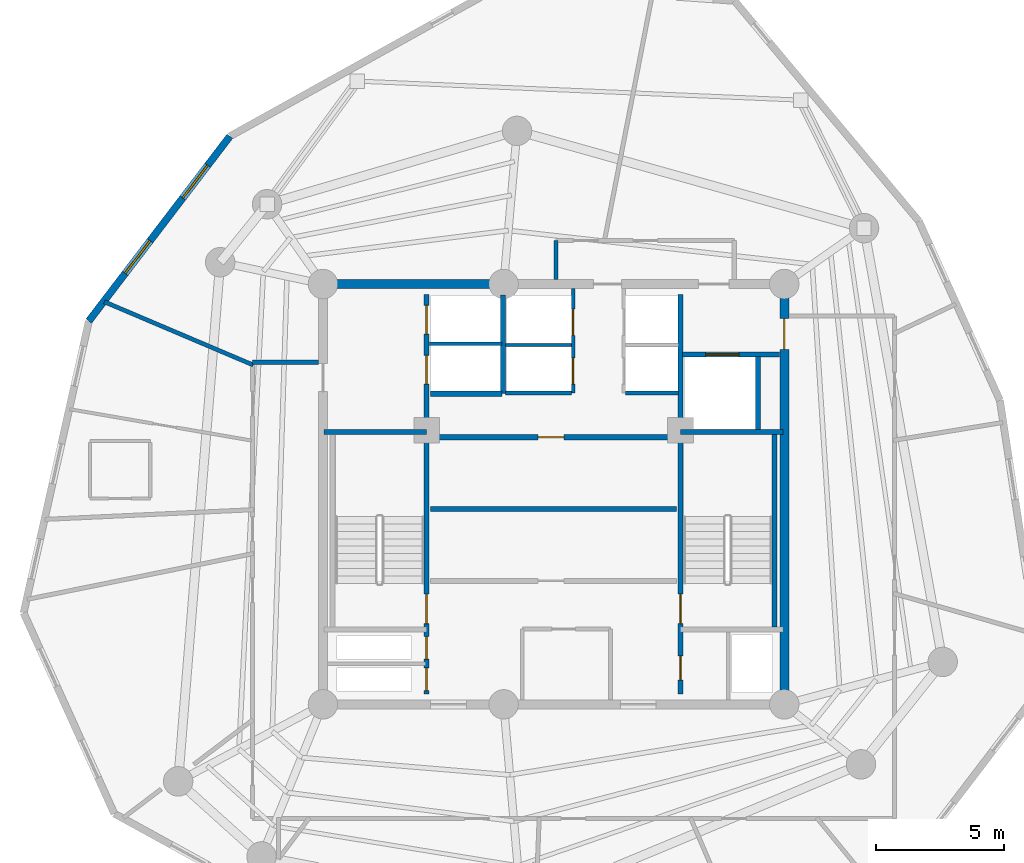
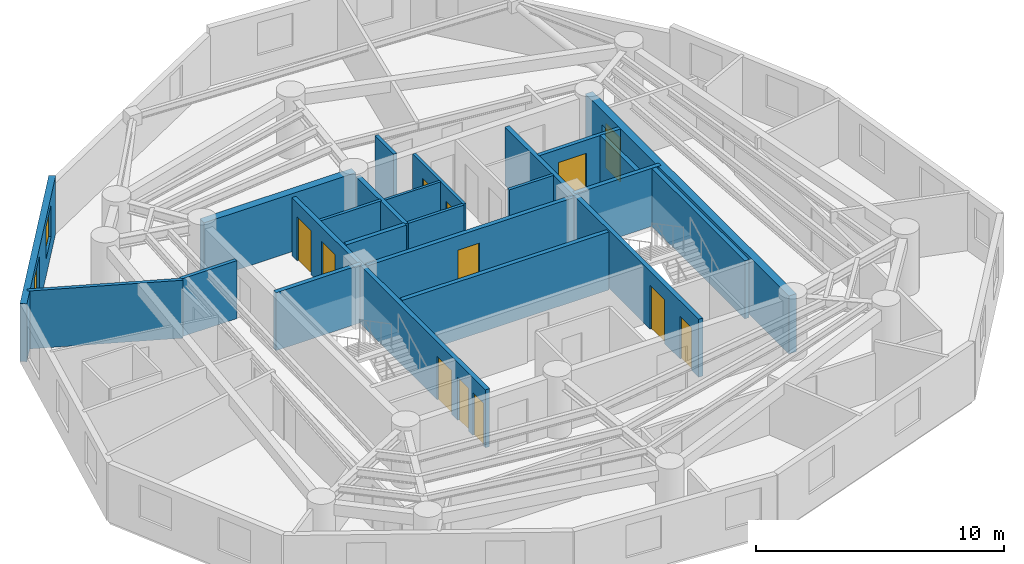
# One storey, part 4 of 7: 22 walls, 12 doors, 2 windows, 14 openings.
"""IFC4 building model written with IfcOpenShell, lengths in metres."""

from ifc_helpers import new_model, si_unit, direction, frame, frame_2d, origin, origin_with_axes, place, context, subcontext, project, spatial, rectangle, extrude, source, transform, mapped, material, layer, layer_set, type_object, element, fill, save


model = new_model("IFC4")

# Units and contexts
model_context = context("Model", 3, precision=1e-05, world=origin(), true_north=direction((0.0, 1.0)))
body_context = subcontext(model_context, "Body", "Model", "MODEL_VIEW")
ifc_project = project(units=[si_unit("LENGTHUNIT", "METRE"), si_unit("AREAUNIT", "SQUARE_METRE"), si_unit("VOLUMEUNIT", "CUBIC_METRE"), si_unit("PLANEANGLEUNIT", "RADIAN"), si_unit("MASSUNIT", "GRAM", prefix="KILO")], contexts=[model_context])

# Site, building, storey
site_placement = place(None, origin())
site = spatial("IfcSite", under=ifc_project, at=site_placement, CompositionType="ELEMENT")
building_placement = place(site_placement, origin())
building = spatial("IfcBuilding", under=site, at=building_placement, Name="Karkom Vertical University and Central Library", CompositionType="ELEMENT")
storey_placement = place(building_placement, frame((0.0, 0.0, 247.39990234375)))
storey = spatial("IfcBuildingStorey", under=building, at=storey_placement, Name="L73", CompositionType="ELEMENT", Elevation=247.39990234375)

# Wall, openings, windows
ifc_material_1 = material(Name="Brick-faced precast concrete C45/55", Category="masonry")
ifc_layer_1 = layer(ifc_material_1, 0.280029296875)
ifc_layer_set_1 = layer_set([ifc_layer_1], Name="Brick-faced precast concrete C45/55")
wall_type_1 = type_object("IfcWallType", Name="ENV-WL-BRK-280", PredefinedType="SOLIDWALL", material=ifc_layer_set_1)
wall_1_placement = place(storey_placement, frame((15.865966796875, 40.4677734375, 0.0), z_axis=(0.0, 0.0, 1.0), x_axis=(-0.606642893849, -0.794974464585, 0.0)))
wall_1 = element("IfcWall", 1, at=wall_1_placement, inside=storey, type_object=wall_type_1, Name="Level 73 Brick-Faced Precast Facade Wall 11", PredefinedType="SOLIDWALL", context=body_context, shape_type="SweptSolid", body=[
    extrude(rectangle(XDim=9.07421875, YDim=0.280029296875, at=frame_2d((4.537109375, 0.0))), origin(), (0.0, 0.0, 1.0), 2.85009765625),
])
opening_1_placement = place(wall_1_placement, frame((1.4296875, 0.0, 0.85009765625)))
opening_1 = element("IfcOpeningElement", 2, at=opening_1_placement, cuts=wall_1, Name="Opening WN-10", PredefinedType="OPENING", context=body_context, shape_type="SweptSolid", body=[
    extrude(rectangle(XDim=1.60009765625, YDim=1.60009765625, at=frame_2d((0.800048828125, 0.800048828125))), frame((0.0, 0.14990234375, 0.0), z_axis=(0.0, -1.0, 0.0), x_axis=(1.0, 0.0, 0.0)), (0.0, 0.0, 1.0), 0.300048828125),
])
opening_2_placement = place(wall_1_placement, frame((5.12890625, 0.0, 0.85009765625)))
opening_2 = element("IfcOpeningElement", 3, at=opening_2_placement, cuts=wall_1, Name="Opening WN-10", PredefinedType="OPENING", context=body_context, shape_type="SweptSolid", body=[
    extrude(rectangle(XDim=1.60009765625, YDim=1.60009765625, at=frame_2d((0.800048828125, 0.800048828125))), frame((0.0, 0.14990234375, 0.0), z_axis=(0.0, -1.0, 0.0), x_axis=(1.0, 0.0, 0.0)), (0.0, 0.0, 1.0), 0.300048828125),
])
ifc_material_2 = material(Name="Aluminium thermal-break frame with solar-control IGU", Category="aluminium")
window_type = type_object("IfcWindowType", Name="ENV-WIN-WN-10", PartitioningType="SINGLE_PANEL", PredefinedType="WINDOW", material=ifc_material_2)
shared_shape_1 = source(origin_with_axes(), body_context, "Body", "SweptSolid", [
    extrude(rectangle(XDim=1.60009765625, YDim=1.60009765625, at=frame_2d((0.800048828125, 0.800048828125))), frame((0.0, 0.030029296875, 0.0), z_axis=(0.0, -1.0, 0.0), x_axis=(1.0, 0.0, 0.0)), (0.0, 0.0, 1.0), 0.06005859375),
])
window_1_placement = place(opening_1_placement, origin())
window_1 = element("IfcWindow", 4, at=window_1_placement, inside=storey, type_object=window_type, Name="Level 73 Punched Window 11.1", OverallHeight=1.60009765625, OverallWidth=1.60009765625, PartitioningType="SINGLE_PANEL", PredefinedType="WINDOW", context=body_context, shape_type="MappedRepresentation", body=[
    mapped(shared_shape_1, transform((0.0, 0.0, 0.0), scale=1.0)),
])
fill(opening_1, window_1)
window_2_placement = place(opening_2_placement, origin())
window_2 = element("IfcWindow", 5, at=window_2_placement, inside=storey, type_object=window_type, Name="Level 73 Punched Window 11.2", OverallHeight=1.60009765625, OverallWidth=1.60009765625, PartitioningType="SINGLE_PANEL", PredefinedType="WINDOW", context=body_context, shape_type="MappedRepresentation", body=[
    mapped(shared_shape_1, transform((0.0, 0.0, 0.0), scale=1.0)),
])
fill(opening_2, window_2)

# Walls
ifc_material_3 = material(Name="Insulated metal-stud drywall 160mm", Category="gypsum")
ifc_layer_2 = layer(ifc_material_3, 0.159912109375)
ifc_layer_set_2 = layer_set([ifc_layer_2], Name="Insulated metal-stud drywall 160mm")
wall_type_2 = type_object("IfcWallType", Name="INT-WL-COR-160", PredefinedType="PARTITIONING", material=ifc_layer_set_2)
wall_2_placement = place(storey_placement, frame((16.777587890625, 31.541015625, 0.0), z_axis=(0.0, 0.0, 1.0), x_axis=(-0.92049449753, 0.390755524614, 0.0)))
element("IfcWall", 6, at=wall_2_placement, inside=storey, type_object=wall_type_2, Name="Level 73 Interior Partition Wall L73-PW-016", PredefinedType="PARTITIONING", context=body_context, shape_type="SweptSolid", body=[
    extrude(rectangle(XDim=6.309814453125, YDim=0.159912109375, at=frame_2d((3.15478515625, 0.0))), origin(), (0.0, 0.0, 1.0), 2.85009765625),
])
wall_3_placement = place(storey_placement, frame((16.75, 31.64990234375, 0.0), z_axis=(0.0, 0.0, 1.0), x_axis=(1.0, 0.0, 0.0)))
element("IfcWall", 7, at=wall_3_placement, inside=storey, type_object=wall_type_2, Name="Level 73 Interior Partition Wall L73-CORW-CW-003", PredefinedType="PARTITIONING", context=body_context, shape_type="SweptSolid", body=[
    extrude(rectangle(XDim=2.568115234375, YDim=0.159912109375, at=frame_2d((1.2841796875, 0.0))), origin(), (0.0, 0.0, 1.0), 2.85009765625),
])
wall_4_placement = place(storey_placement, frame((28.60009765625, 34.882080078125, 0.0), z_axis=(0.0, 0.0, 1.0), x_axis=(0.0, 1.0, 0.0)))
element("IfcWall", 8, at=wall_4_placement, inside=storey, type_object=wall_type_2, Name="Level 73 Interior Partition Wall L73-CORW-CW-006", PredefinedType="PARTITIONING", context=body_context, shape_type="SweptSolid", body=[
    extrude(rectangle(XDim=1.517822265625, YDim=0.159912109375, at=frame_2d((0.7587890625, 0.0))), origin(), (0.0, 0.0, 1.0), 2.85009765625),
])
ifc_material_4 = material(Name="Moisture-resistant drywall 120mm", Category="gypsum")
ifc_layer_3 = layer(ifc_material_4, 0.1201171875)
ifc_layer_set_3 = layer_set([ifc_layer_3], Name="Moisture-resistant drywall 120mm")
wall_type_3 = type_object("IfcWallType", Name="INT-WL-INT-120H", PredefinedType="PARTITIONING", material=ifc_layer_set_3)
wall_5_placement = place(storey_placement, frame((26.6201171875, 32.320068359375, 0.0), z_axis=(0.0, 0.0, 1.0), x_axis=(1.0, 0.0, 0.0)))
element("IfcWall", 9, at=wall_5_placement, inside=storey, type_object=wall_type_3, Name="Level 73 Interior Partition Wall L73-CW-PH-MW", PredefinedType="PARTITIONING", context=body_context, shape_type="SweptSolid", body=[
    extrude(rectangle(XDim=2.579833984375, YDim=0.1201171875, at=frame_2d((1.2900390625, 0.0))), origin(), (0.0, 0.0, 1.0), 2.85009765625),
])

# Wall, openings, doors
ifc_material_5 = material(Name="Metal-stud gypsum partition 140mm", Category="gypsum")
ifc_layer_4 = layer(ifc_material_5, 0.139892578125)
ifc_layer_set_4 = layer_set([ifc_layer_4], Name="Metal-stud gypsum partition 140mm")
wall_type_4 = type_object("IfcWallType", Name="INT-WL-SUB-140H", PredefinedType="PARTITIONING", material=ifc_layer_set_4)
wall_6_placement = place(storey_placement, frame((29.260009765625, 30.449951171875, 0.0), z_axis=(0.0, 0.0, 1.0), x_axis=(0.0, 1.0, 0.0)))
wall_6 = element("IfcWall", 10, at=wall_6_placement, inside=storey, type_object=wall_type_4, Name="Level 73 Interior Partition Wall L73-CW-PH-W", PredefinedType="PARTITIONING", context=body_context, shape_type="SweptSolid", body=[
    extrude(rectangle(XDim=4.068115234375, YDim=0.139892578125, at=frame_2d((2.0341796875, 0.0))), origin(), (0.0, 0.0, 1.0), 2.85009765625),
])
opening_3_placement = place(wall_6_placement, frame((0.35009765625, 0.0, 0.0)))
opening_3 = element("IfcOpeningElement", 11, at=opening_3_placement, cuts=wall_6, Name="Opening LD-PH", PredefinedType="OPENING", context=body_context, shape_type="SweptSolid", body=[
    extrude(rectangle(XDim=1.02001953125, YDim=2.14990234375, at=frame_2d((0.510009765625, 1.074951171875))), frame((0.0, 0.080078125, 0.0), z_axis=(0.0, -1.0, 0.0), x_axis=(1.0, 0.0, 0.0)), (0.0, 0.0, 1.0), 0.159912109375),
])
opening_4_placement = place(wall_6_placement, frame((2.25, 0.0, 0.0)))
opening_4 = element("IfcOpeningElement", 12, at=opening_4_placement, cuts=wall_6, Name="Opening LD-PH", PredefinedType="OPENING", context=body_context, shape_type="SweptSolid", body=[
    extrude(rectangle(XDim=1.02001953125, YDim=2.14990234375, at=frame_2d((0.510009765625, 1.074951171875))), frame((0.0, 0.080078125, 0.0), z_axis=(0.0, -1.0, 0.0), x_axis=(1.0, 0.0, 0.0)), (0.0, 0.0, 1.0), 0.159912109375),
])
ifc_material_6 = material(Name="Brushed stainless-steel landing door", Category="steel")
door_type_1 = type_object("IfcDoorType", Name="INT-DR-LD-PH", OperationType="SLIDING_TO_LEFT", PredefinedType="DOOR", material=ifc_material_6)
shared_shape_2 = source(origin_with_axes(), body_context, "Body", "SweptSolid", [
    extrude(rectangle(XDim=1.02001953125, YDim=2.14990234375, at=frame_2d((0.510009765625, 1.074951171875))), frame((0.0, 0.02490234375, 0.0), z_axis=(0.0, -1.0, 0.0), x_axis=(1.0, 0.0, 0.0)), (0.0, 0.0, 1.0), 0.050048828125),
])
door_1_placement = place(opening_3_placement, origin())
door_1 = element("IfcDoor", 13, at=door_1_placement, inside=storey, type_object=door_type_1, Name="Level 73 Lift PH-1 Landing Door", OperationType="SLIDING_TO_LEFT", OverallHeight=2.14990234375, OverallWidth=1.02001953125, PredefinedType="DOOR", context=body_context, shape_type="MappedRepresentation", body=[
    mapped(shared_shape_2, transform((0.0, 0.0, 0.0), scale=1.0)),
])
fill(opening_3, door_1)
door_2_placement = place(opening_4_placement, origin())
door_2 = element("IfcDoor", 14, at=door_2_placement, inside=storey, type_object=door_type_1, Name="Level 73 Lift PH-2 Landing Door", OperationType="SLIDING_TO_LEFT", OverallHeight=2.14990234375, OverallWidth=1.02001953125, PredefinedType="DOOR", context=body_context, shape_type="MappedRepresentation", body=[
    mapped(shared_shape_2, transform((0.0, 0.0, 0.0), scale=1.0)),
])
fill(opening_4, door_2)

# Walls
wall_7_placement = place(storey_placement, frame((26.6201171875, 30.449951171875, 0.0), z_axis=(0.0, 0.0, 1.0), x_axis=(1.0, 0.0, 0.0)))
element("IfcWall", 15, at=wall_7_placement, inside=storey, type_object=wall_type_4, Name="Level 73 Interior Partition Wall L73-CW-PH-S1", PredefinedType="PARTITIONING", context=body_context, shape_type="SweptSolid", body=[
    extrude(rectangle(XDim=2.579833984375, YDim=0.139892578125, at=frame_2d((1.2900390625, 0.0))), origin(), (0.0, 0.0, 1.0), 2.85009765625),
])
wall_8_placement = place(storey_placement, frame((31.300048828125, 30.449951171875, 0.0), z_axis=(0.0, 0.0, 1.0), x_axis=(1.0, 0.0, 0.0)))
element("IfcWall", 16, at=wall_8_placement, inside=storey, type_object=wall_type_4, Name="Level 73 Interior Partition Wall L73-CW-PH-S2", PredefinedType="PARTITIONING", context=body_context, shape_type="SweptSolid", body=[
    extrude(rectangle(XDim=2.074951171875, YDim=0.139892578125, at=frame_2d((1.03759765625, 0.0))), origin(), (0.0, 0.0, 1.0), 2.85009765625),
])
ifc_layer_5 = layer(ifc_material_5, 0.139892578125)
ifc_layer_set_5 = layer_set([ifc_layer_5], Name="Metal-stud gypsum partition 140mm")
wall_type_5 = type_object("IfcWallType", Name="INT-WL-SUB-140X", PredefinedType="PARTITIONING", material=ifc_layer_set_5)
wall_9_placement = place(storey_placement, frame((23.652099609375, 32.3701171875, 0.0), z_axis=(0.0, 0.0, 1.0), x_axis=(1.0, 0.0, 0.0)))
element("IfcWall", 17, at=wall_9_placement, inside=storey, type_object=wall_type_5, Name="Level 73 Interior Partition Wall L73-CW-FFL-M", PredefinedType="PARTITIONING", context=body_context, shape_type="SweptSolid", body=[
    extrude(rectangle(XDim=2.827880859375, YDim=0.139892578125, at=frame_2d((1.4140625, 0.0))), origin(), (0.0, 0.0, 1.0), 2.85009765625),
])

# Wall, opening, door
ifc_material_7 = material(Name="Twin-stud acoustic drywall 180mm", Category="gypsum")
ifc_layer_6 = layer(ifc_material_7, 0.179931640625)
ifc_layer_set_6 = layer_set([ifc_layer_6], Name="Twin-stud acoustic drywall 180mm")
wall_type_6 = type_object("IfcWallType", Name="INT-WL-TEN-180F", PredefinedType="PARTITIONING", material=ifc_layer_set_6)
wall_10_placement = place(storey_placement, frame((33.534912109375, 31.949951171875, 0.0), z_axis=(0.0, 0.0, 1.0), x_axis=(1.0, 0.0, 0.0)))
wall_10 = element("IfcWall", 18, at=wall_10_placement, inside=storey, type_object=wall_type_6, Name="Level 73 Interior Partition Wall L73-CW-SVL-N", PredefinedType="PARTITIONING", context=body_context, shape_type="SweptSolid", body=[
    extrude(rectangle(XDim=3.783935546875, YDim=0.179931640625, at=frame_2d((1.89208984375, 0.0))), origin(), (0.0, 0.0, 1.0), 2.85009765625),
])
opening_5_placement = place(wall_10_placement, frame((0.89990234375, 0.0, 0.0)))
opening_5 = element("IfcOpeningElement", 19, at=opening_5_placement, cuts=wall_10, Name="Opening LD-SV1", PredefinedType="OPENING", context=body_context, shape_type="SweptSolid", body=[
    extrude(rectangle(XDim=1.300048828125, YDim=2.199951171875, at=frame_2d((0.64990234375, 1.10009765625))), frame((0.0, 0.10009765625, 0.0), z_axis=(0.0, -1.0, 0.0), x_axis=(1.0, 0.0, 0.0)), (0.0, 0.0, 1.0), 0.199951171875),
])
door_type_2 = type_object("IfcDoorType", Name="INT-DR-LD-SV1", OperationType="SLIDING_TO_LEFT", PredefinedType="DOOR", material=ifc_material_6)
shared_shape_3 = source(origin_with_axes(), body_context, "Body", "SweptSolid", [
    extrude(rectangle(XDim=1.300048828125, YDim=2.199951171875, at=frame_2d((0.64990234375, 1.10009765625))), frame((0.0, 0.02490234375, 0.0), z_axis=(0.0, -1.0, 0.0), x_axis=(1.0, 0.0, 0.0)), (0.0, 0.0, 1.0), 0.050048828125),
])
door_3_placement = place(opening_5_placement, origin())
door_3 = element("IfcDoor", 20, at=door_3_placement, inside=storey, type_object=door_type_2, Name="Level 73 Service Lift Landing Door LD-SV1", OperationType="SLIDING_TO_LEFT", OverallHeight=2.199951171875, OverallWidth=1.300048828125, PredefinedType="DOOR", context=body_context, shape_type="MappedRepresentation", body=[
    mapped(shared_shape_3, transform((0.0, 0.0, 0.0), scale=1.0)),
])
fill(opening_5, door_3)

ifc_material_8 = material(Name="Concrete C45/55", Category="concrete")
ifc_layer_7 = layer(ifc_material_8, 0.35009765625)
ifc_layer_set_7 = layer_set([ifc_layer_7], Name="Concrete C45/55")
wall_type_7 = type_object("IfcWallType", Name="STR-WL-CW-350", PredefinedType="SHEAR", material=ifc_layer_set_7)
wall_11_placement = place(storey_placement, frame((37.5, 18.300048828125, 0.0), z_axis=(0.0, 0.0, 1.0), x_axis=(0.0, 1.0, 0.0)))
wall_11 = element("IfcWall", 21, at=wall_11_placement, inside=storey, type_object=wall_type_7, Name="Level 73 Central Core Shear Wall EW", PredefinedType="SHEAR", context=body_context, shape_type="SweptSolid", body=[
    extrude(rectangle(XDim=16.39990234375, YDim=0.35009765625, at=frame_2d((8.199951171875, 0.0))), origin(), (0.0, 0.0, 1.0), 2.85009765625),
])
opening_6_placement = place(wall_11_placement, frame((13.85009765625, 0.0, 0.0)))
opening_6 = element("IfcOpeningElement", 22, at=opening_6_placement, cuts=wall_11, Name="Opening FD-SUB1", PredefinedType="OPENING", context=body_context, shape_type="SweptSolid", body=[
    extrude(rectangle(XDim=1.199951171875, YDim=2.14990234375, at=frame_2d((0.60009765625, 1.074951171875))), frame((0.0, 0.18505859375, 0.0), z_axis=(0.0, -1.0, 0.0), x_axis=(1.0, 0.0, 0.0)), (0.0, 0.0, 1.0), 0.3701171875),
])
ifc_material_9 = material(Name="Painted steel fire door", Category="steel")
door_type_3 = type_object("IfcDoorType", Name="INT-DR-SUB1", OperationType="NOTDEFINED", PredefinedType="DOOR", material=ifc_material_9)
shared_shape_4 = source(origin_with_axes(), body_context, "Body", "SweptSolid", [
    extrude(rectangle(XDim=1.199951171875, YDim=2.14990234375, at=frame_2d((0.60009765625, 1.074951171875))), frame((0.0, 0.02490234375, 0.0), z_axis=(0.0, -1.0, 0.0), x_axis=(1.0, 0.0, 0.0)), (0.0, 0.0, 1.0), 0.050048828125),
])
door_4_placement = place(opening_6_placement, origin())
door_4 = element("IfcDoor", 23, at=door_4_placement, inside=storey, type_object=door_type_3, Name="Level 73 East Corridor Service Lobby Door", OperationType="SINGLE_SWING_RIGHT", OverallHeight=2.14990234375, OverallWidth=1.199951171875, PredefinedType="DOOR", context=body_context, shape_type="MappedRepresentation", body=[
    mapped(shared_shape_4, transform((0.0, 0.0, 0.0), scale=1.0)),
])
fill(opening_6, door_4)

# Wall
wall_12_placement = place(storey_placement, frame((26.550048828125, 34.699951171875, 0.0), z_axis=(0.0, 0.0, 1.0), x_axis=(-1.0, 0.0, 0.0)))
element("IfcWall", 24, at=wall_12_placement, inside=storey, type_object=wall_type_7, Name="Level 73 Central Core Shear Wall NW2", PredefinedType="SHEAR", context=body_context, shape_type="SweptSolid", body=[
    extrude(rectangle(XDim=7.050048828125, YDim=0.35009765625, at=frame_2d((3.52490234375, 0.0))), origin(), (0.0, 0.0, 1.0), 2.85009765625),
])

# Wall, openings, doors
ifc_layer_8 = layer(ifc_material_8, 0.199951171875)
ifc_layer_set_8 = layer_set([ifc_layer_8], Name="Concrete C45/55")
wall_type_8 = type_object("IfcWallType", Name="STR-WL-ST-200", PredefinedType="SHEAR", material=ifc_layer_set_8)
wall_13_placement = place(storey_placement, frame((23.544921875, 18.699951171875, 0.0), z_axis=(0.0, 0.0, 1.0), x_axis=(0.0, 1.0, 0.0)))
wall_13 = element("IfcWall", 25, at=wall_13_placement, inside=storey, type_object=wall_type_8, Name="Level 73 Core Shaft Wall L73-CW-ST1-E", PredefinedType="SHEAR", context=body_context, shape_type="SweptSolid", body=[
    extrude(rectangle(XDim=15.60009765625, YDim=0.199951171875, at=frame_2d((7.800048828125, 0.0))), origin(), (0.0, 0.0, 1.0), 2.85009765625),
])
opening_7_placement = place(wall_13_placement, frame((2.75, 0.0, 0.0)))
opening_7 = element("IfcOpeningElement", 26, at=opening_7_placement, cuts=wall_13, Name="Opening FD-ST1", PredefinedType="OPENING", context=body_context, shape_type="SweptSolid", body=[
    extrude(rectangle(XDim=1.14990234375, YDim=2.14990234375, at=frame_2d((0.574951171875, 1.074951171875))), frame((0.0, 0.10986328125, 0.0), z_axis=(0.0, -1.0, 0.0), x_axis=(1.0, 0.0, 0.0)), (0.0, 0.0, 1.0), 0.219970703125),
])
opening_8_placement = place(wall_13_placement, frame((0.139892578125, 0.0, 0.0)))
opening_8 = element("IfcOpeningElement", 27, at=opening_8_placement, cuts=wall_13, Name="Opening FD-RIS", PredefinedType="OPENING", context=body_context, shape_type="SweptSolid", body=[
    extrude(rectangle(XDim=0.8798828125, YDim=2.10009765625, at=frame_2d((0.43994140625, 1.050048828125))), frame((0.0, 0.10986328125, 0.0), z_axis=(0.0, -1.0, 0.0), x_axis=(1.0, 0.0, 0.0)), (0.0, 0.0, 1.0), 0.219970703125),
])
opening_9_placement = place(wall_13_placement, frame((1.360107421875, 0.0, 0.0)))
opening_9 = element("IfcOpeningElement", 28, at=opening_9_placement, cuts=wall_13, Name="Opening FD-RIS", PredefinedType="OPENING", context=body_context, shape_type="SweptSolid", body=[
    extrude(rectangle(XDim=0.8798828125, YDim=2.10009765625, at=frame_2d((0.43994140625, 1.050048828125))), frame((0.0, 0.10986328125, 0.0), z_axis=(0.0, -1.0, 0.0), x_axis=(1.0, 0.0, 0.0)), (0.0, 0.0, 1.0), 0.219970703125),
])
opening_10_placement = place(wall_13_placement, frame((12.10009765625, 0.0, 0.0)))
opening_10 = element("IfcOpeningElement", 29, at=opening_10_placement, cuts=wall_13, Name="Opening LD-FFL", PredefinedType="OPENING", context=body_context, shape_type="SweptSolid", body=[
    extrude(rectangle(XDim=1.1201171875, YDim=2.14990234375, at=frame_2d((0.56005859375, 1.074951171875))), frame((0.0, 0.10986328125, 0.0), z_axis=(0.0, -1.0, 0.0), x_axis=(1.0, 0.0, 0.0)), (0.0, 0.0, 1.0), 0.219970703125),
])
opening_11_placement = place(wall_13_placement, frame((14.050048828125, 0.0, 0.0)))
opening_11 = element("IfcOpeningElement", 30, at=opening_11_placement, cuts=wall_13, Name="Opening LD-FFL", PredefinedType="OPENING", context=body_context, shape_type="SweptSolid", body=[
    extrude(rectangle(XDim=1.1201171875, YDim=2.14990234375, at=frame_2d((0.56005859375, 1.074951171875))), frame((0.0, 0.10986328125, 0.0), z_axis=(0.0, -1.0, 0.0), x_axis=(1.0, 0.0, 0.0)), (0.0, 0.0, 1.0), 0.219970703125),
])
ifc_material_10 = material(Name="Painted steel acoustic fire door", Category="steel")
door_type_4 = type_object("IfcDoorType", Name="INT-DR-ST1", OperationType="NOTDEFINED", PredefinedType="DOOR", material=ifc_material_10)
shared_shape_5 = source(origin_with_axes(), body_context, "Body", "SweptSolid", [
    extrude(rectangle(XDim=1.14990234375, YDim=2.14990234375, at=frame_2d((0.574951171875, 1.074951171875))), frame((0.0, 0.02490234375, 0.0), z_axis=(0.0, -1.0, 0.0), x_axis=(1.0, 0.0, 0.0)), (0.0, 0.0, 1.0), 0.050048828125),
])
door_5_placement = place(opening_7_placement, origin())
door_5 = element("IfcDoor", 31, at=door_5_placement, inside=storey, type_object=door_type_4, Name="Level 73 Stair ST-1 Fire Door", OperationType="SINGLE_SWING_LEFT", OverallHeight=2.14990234375, OverallWidth=1.14990234375, PredefinedType="DOOR", context=body_context, shape_type="MappedRepresentation", body=[
    mapped(shared_shape_5, transform((0.0, 0.0, 0.0), scale=1.0)),
])
fill(opening_7, door_5)
ifc_material_11 = material(Name="Painted steel riser access door", Category="steel")
door_type_5 = type_object("IfcDoorType", Name="INT-DR-RIS", OperationType="NOTDEFINED", PredefinedType="DOOR", material=ifc_material_11)
shared_shape_6 = source(origin_with_axes(), body_context, "Body", "SweptSolid", [
    extrude(rectangle(XDim=0.8798828125, YDim=2.10009765625, at=frame_2d((0.43994140625, 1.050048828125))), frame((0.0, 0.02490234375, 0.0), z_axis=(0.0, -1.0, 0.0), x_axis=(1.0, 0.0, 0.0)), (0.0, 0.0, 1.0), 0.050048828125),
])
door_6_placement = place(opening_8_placement, origin())
door_6 = element("IfcDoor", 32, at=door_6_placement, inside=storey, type_object=door_type_5, Name="Level 73 Electrical Riser Access Door", OperationType="SINGLE_SWING_RIGHT", OverallHeight=2.10009765625, OverallWidth=0.8798828125, PredefinedType="DOOR", context=body_context, shape_type="MappedRepresentation", body=[
    mapped(shared_shape_6, transform((0.0, 0.0, 0.0), scale=1.0)),
])
fill(opening_8, door_6)
door_7_placement = place(opening_9_placement, origin())
door_7 = element("IfcDoor", 33, at=door_7_placement, inside=storey, type_object=door_type_5, Name="Level 73 Telecom Riser Access Door", OperationType="SINGLE_SWING_LEFT", OverallHeight=2.10009765625, OverallWidth=0.8798828125, PredefinedType="DOOR", context=body_context, shape_type="MappedRepresentation", body=[
    mapped(shared_shape_6, transform((0.0, 0.0, 0.0), scale=1.0)),
])
fill(opening_9, door_7)
ifc_material_12 = material(Name="Fire-rated stainless-steel landing door", Category="steel")
door_type_6 = type_object("IfcDoorType", Name="INT-DR-LD-FFL", OperationType="SLIDING_TO_LEFT", PredefinedType="DOOR", material=ifc_material_12)
shared_shape_7 = source(origin_with_axes(), body_context, "Body", "SweptSolid", [
    extrude(rectangle(XDim=1.1201171875, YDim=2.14990234375, at=frame_2d((0.56005859375, 1.074951171875))), frame((0.0, 0.02490234375, 0.0), z_axis=(0.0, -1.0, 0.0), x_axis=(1.0, 0.0, 0.0)), (0.0, 0.0, 1.0), 0.050048828125),
])
door_8_placement = place(opening_10_placement, origin())
door_8 = element("IfcDoor", 34, at=door_8_placement, inside=storey, type_object=door_type_6, Name="Level 73 Firefighting Lift FFL-1 Landing Door", OperationType="SLIDING_TO_LEFT", OverallHeight=2.14990234375, OverallWidth=1.1201171875, PredefinedType="DOOR", context=body_context, shape_type="MappedRepresentation", body=[
    mapped(shared_shape_7, transform((0.0, 0.0, 0.0), scale=1.0)),
])
fill(opening_10, door_8)
door_9_placement = place(opening_11_placement, origin())
door_9 = element("IfcDoor", 35, at=door_9_placement, inside=storey, type_object=door_type_6, Name="Level 73 Firefighting Lift FFL-2 Landing Door", OperationType="SLIDING_TO_RIGHT", OverallHeight=2.14990234375, OverallWidth=1.1201171875, PredefinedType="DOOR", context=body_context, shape_type="MappedRepresentation", body=[
    mapped(shared_shape_7, transform((0.0, 0.0, 0.0), scale=1.0)),
])
fill(opening_11, door_9)

wall_14_placement = place(storey_placement, frame((33.455078125, 18.699951171875, 0.0), z_axis=(0.0, 0.0, 1.0), x_axis=(0.0, 1.0, 0.0)))
wall_14 = element("IfcWall", 36, at=wall_14_placement, inside=storey, type_object=wall_type_8, Name="Level 73 Core Shaft Wall L73-CW-ST2-W", PredefinedType="SHEAR", context=body_context, shape_type="SweptSolid", body=[
    extrude(rectangle(XDim=15.60009765625, YDim=0.199951171875, at=frame_2d((7.800048828125, 0.0))), origin(), (0.0, 0.0, 1.0), 2.85009765625),
])
opening_12_placement = place(wall_14_placement, frame((2.75, 0.0, 0.0)))
opening_12 = element("IfcOpeningElement", 37, at=opening_12_placement, cuts=wall_14, Name="Opening FD-ST1", PredefinedType="OPENING", context=body_context, shape_type="SweptSolid", body=[
    extrude(rectangle(XDim=1.14990234375, YDim=2.14990234375, at=frame_2d((0.574951171875, 1.074951171875))), frame((0.0, 0.10986328125, 0.0), z_axis=(0.0, -1.0, 0.0), x_axis=(1.0, 0.0, 0.0)), (0.0, 0.0, 1.0), 0.219970703125),
])
opening_13_placement = place(wall_14_placement, frame((0.550048828125, 0.0, 0.0)))
opening_13 = element("IfcOpeningElement", 38, at=opening_13_placement, cuts=wall_14, Name="Opening D-WC1", PredefinedType="OPENING", context=body_context, shape_type="SweptSolid", body=[
    extrude(rectangle(XDim=0.93994140625, YDim=2.10009765625, at=frame_2d((0.469970703125, 1.050048828125))), frame((0.0, 0.10986328125, 0.0), z_axis=(0.0, -1.0, 0.0), x_axis=(1.0, 0.0, 0.0)), (0.0, 0.0, 1.0), 0.219970703125),
])
door_10_placement = place(opening_12_placement, origin())
door_10 = element("IfcDoor", 39, at=door_10_placement, inside=storey, type_object=door_type_4, Name="Level 73 Stair ST-2 Fire Door", OperationType="SINGLE_SWING_RIGHT", OverallHeight=2.14990234375, OverallWidth=1.14990234375, PredefinedType="DOOR", context=body_context, shape_type="MappedRepresentation", body=[
    mapped(shared_shape_5, transform((0.0, 0.0, 0.0), scale=1.0)),
])
fill(opening_12, door_10)
ifc_material_13 = material(Name="Fire-rated laminate moisture-resistant door", Category="wood")
door_type_7 = type_object("IfcDoorType", Name="INT-DR-WC1", OperationType="NOTDEFINED", PredefinedType="DOOR", material=ifc_material_13)
shared_shape_8 = source(origin_with_axes(), body_context, "Body", "SweptSolid", [
    extrude(rectangle(XDim=0.93994140625, YDim=2.10009765625, at=frame_2d((0.469970703125, 1.050048828125))), frame((0.0, 0.02490234375, 0.0), z_axis=(0.0, -1.0, 0.0), x_axis=(1.0, 0.0, 0.0)), (0.0, 0.0, 1.0), 0.050048828125),
])
door_11_placement = place(opening_13_placement, origin())
door_11 = element("IfcDoor", 40, at=door_11_placement, inside=storey, type_object=door_type_7, Name="Level 73 Accessible WC Door", OperationType="SINGLE_SWING_RIGHT", OverallHeight=2.10009765625, OverallWidth=0.93994140625, PredefinedType="DOOR", context=body_context, shape_type="MappedRepresentation", body=[
    mapped(shared_shape_8, transform((0.0, 0.0, 0.0), scale=1.0)),
])
fill(opening_13, door_11)

# Wall
wall_15_placement = place(storey_placement, frame((23.699951171875, 25.919921875, 0.0), z_axis=(0.0, 0.0, 1.0), x_axis=(1.0, 0.0, 0.0)))
element("IfcWall", 41, at=wall_15_placement, inside=storey, type_object=wall_type_8, Name="Level 73 Core Shaft Wall L73-CW-B1-N", PredefinedType="SHEAR", context=body_context, shape_type="SweptSolid", body=[
    extrude(rectangle(XDim=9.60009765625, YDim=0.199951171875, at=frame_2d((4.800048828125, 0.0))), origin(), (0.0, 0.0, 1.0), 2.85009765625),
])

# Wall, opening, door
wall_16_placement = place(storey_placement, frame((23.699951171875, 28.719970703125, 0.0), z_axis=(0.0, 0.0, 1.0), x_axis=(1.0, 0.0, 0.0)))
wall_16 = element("IfcWall", 42, at=wall_16_placement, inside=storey, type_object=wall_type_8, Name="Level 73 Core Shaft Wall L73-CW-B2-N", PredefinedType="SHEAR", context=body_context, shape_type="SweptSolid", body=[
    extrude(rectangle(XDim=9.60009765625, YDim=0.199951171875, at=frame_2d((4.800048828125, 0.0))), origin(), (0.0, 0.0, 1.0), 2.85009765625),
])
opening_14_placement = place(wall_16_placement, frame((4.199951171875, 0.0, 0.0)))
opening_14 = element("IfcOpeningElement", 43, at=opening_14_placement, cuts=wall_16, Name="Opening D-STR1", PredefinedType="OPENING", context=body_context, shape_type="SweptSolid", body=[
    extrude(rectangle(XDim=1.0, YDim=2.14990234375, at=frame_2d((0.5, 1.074951171875))), frame((0.0, 0.10986328125, 0.0), z_axis=(0.0, -1.0, 0.0), x_axis=(1.0, 0.0, 0.0)), (0.0, 0.0, 1.0), 0.219970703125),
])
ifc_material_14 = material(Name="Solid-core hardwood fire door", Category="wood")
door_type_8 = type_object("IfcDoorType", Name="INT-DR-STR1", OperationType="NOTDEFINED", PredefinedType="DOOR", material=ifc_material_14)
shared_shape_9 = source(origin_with_axes(), body_context, "Body", "SweptSolid", [
    extrude(rectangle(XDim=1.0, YDim=2.14990234375, at=frame_2d((0.5, 1.074951171875))), frame((0.0, 0.02490234375, 0.0), z_axis=(0.0, -1.0, 0.0), x_axis=(1.0, 0.0, 0.0)), (0.0, 0.0, 1.0), 0.050048828125),
])
door_12_placement = place(opening_14_placement, origin())
door_12 = element("IfcDoor", 44, at=door_12_placement, inside=storey, type_object=door_type_8, Name="Level 73 Fellows Supply Store Room Door", OperationType="SINGLE_SWING_LEFT", OverallHeight=2.14990234375, OverallWidth=1.0, PredefinedType="DOOR", context=body_context, shape_type="MappedRepresentation", body=[
    mapped(shared_shape_9, transform((0.0, 0.0, 0.0), scale=1.0)),
])
fill(opening_14, door_12)

# Walls
wall_17_placement = place(storey_placement, frame((37.125, 21.320068359375, 0.0), z_axis=(0.0, 0.0, 1.0), x_axis=(0.0, 1.0, 0.0)))
element("IfcWall", 45, at=wall_17_placement, inside=storey, type_object=wall_type_8, Name="Level 73 Core Shaft Wall L73-CW-ST2-E", PredefinedType="SHEAR", context=body_context, shape_type="SweptSolid", body=[
    extrude(rectangle(XDim=7.5, YDim=0.199951171875, at=frame_2d((3.75, 0.0))), origin(), (0.0, 0.0, 1.0), 2.85009765625),
])
for number, where, z_axis, x_axis, name in (
    (46, (33.455078125, 28.925048828125, 0.0), (0.0, 0.0, 1.0), (1.0, 0.0, 0.0), "Level 73 Core Shaft Wall L73-CW-ST2-N"),
    (47, (19.550048828125, 28.925048828125, 0.0), (0.0, 0.0, 1.0), (1.0, 0.0, 0.0), "Level 73 Core Shaft Wall L73-CW-ST1-N"),
):
    element("IfcWall", number, at=place(storey_placement, frame(where, z_axis=z_axis, x_axis=x_axis)), inside=storey, type_object=wall_type_8, Name=name, PredefinedType="SHEAR", context=body_context, shape_type="SweptSolid", body=[
        extrude(rectangle(XDim=3.994873046875, YDim=0.199951171875, at=frame_2d((1.99755859375, 0.0))), origin(), (0.0, 0.0, 1.0), 2.85009765625),
    ])
wall_18_placement = place(storey_placement, frame((26.52001953125, 30.419921875, 0.0), z_axis=(0.0, 0.0, 1.0), x_axis=(0.0, 1.0, 0.0)))
element("IfcWall", 48, at=wall_18_placement, inside=storey, type_object=wall_type_8, Name="Level 73 Core Shaft Wall L73-CW-FFL-E", PredefinedType="SHEAR", context=body_context, shape_type="SweptSolid", body=[
    extrude(rectangle(XDim=3.860107421875, YDim=0.199951171875, at=frame_2d((1.93017578125, 0.0))), origin(), (0.0, 0.0, 1.0), 2.85009765625),
])
wall_19_placement = place(storey_placement, frame((36.47998046875, 29.02001953125, 0.0), z_axis=(0.0, 0.0, 1.0), x_axis=(0.0, 1.0, 0.0)))
element("IfcWall", 49, at=wall_19_placement, inside=storey, type_object=wall_type_8, Name="Level 73 Core Shaft Wall L73-CW-SVL-E", PredefinedType="SHEAR", context=body_context, shape_type="SweptSolid", body=[
    extrude(rectangle(XDim=2.85986328125, YDim=0.199951171875, at=frame_2d((1.429931640625, 0.0))), origin(), (0.0, 0.0, 1.0), 2.85009765625),
])
wall_20_placement = place(storey_placement, frame((23.699951171875, 30.419921875, 0.0), z_axis=(0.0, 0.0, 1.0), x_axis=(1.0, 0.0, 0.0)))
element("IfcWall", 50, at=wall_20_placement, inside=storey, type_object=wall_type_8, Name="Level 73 Core Shaft Wall L73-CW-FFL-S", PredefinedType="SHEAR", context=body_context, shape_type="SweptSolid", body=[
    extrude(rectangle(XDim=2.780029296875, YDim=0.199951171875, at=frame_2d((1.39013671875, 0.0))), origin(), (0.0, 0.0, 1.0), 2.85009765625),
])

save(model, "model.ifc")
